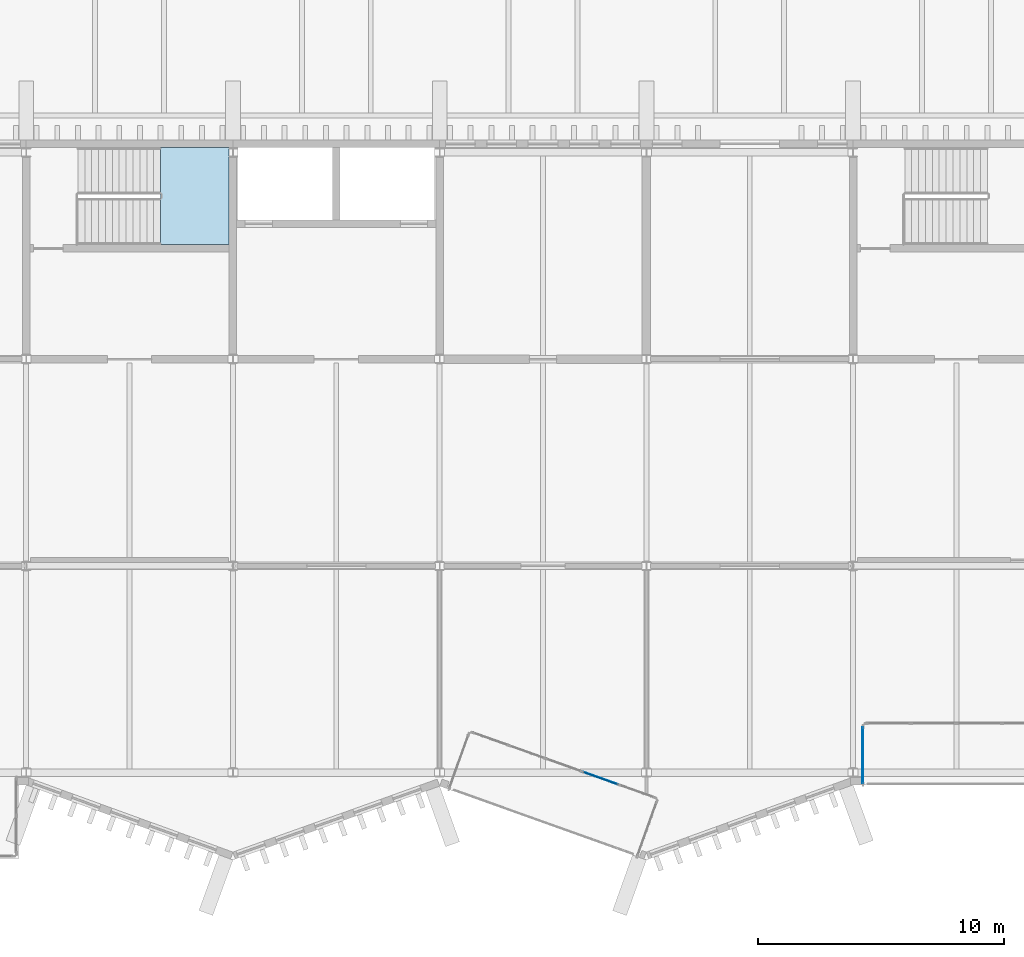
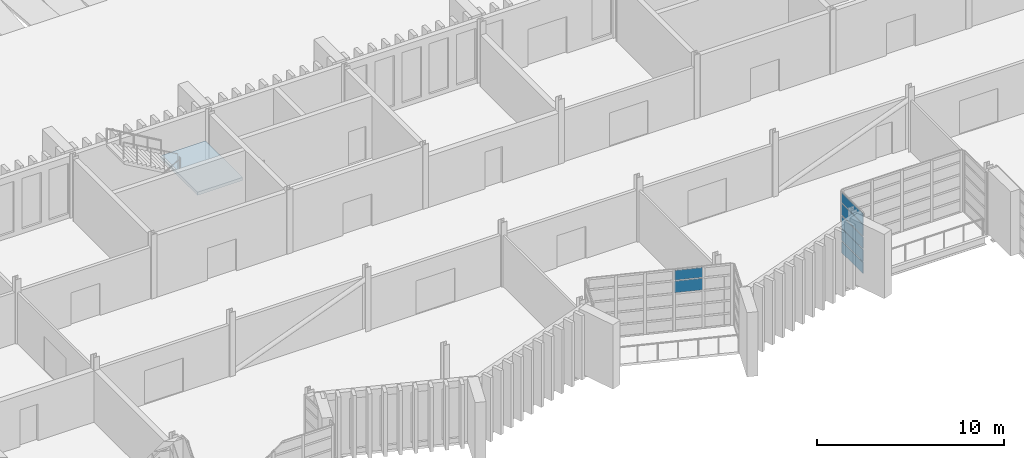
# One storey, part 50 of 96: 7 plates, 1 slab, 3 elements without a shape of their own.
"""IFC4 building model written with IfcOpenShell, lengths in metres."""

from ifc_helpers import new_model, si_unit, direction, frame, origin, origin_2d, place, context, subcontext, project, spatial, polyline, rectangle, outline, extrude, material, layer, layer_set, type_object, element, aggregate, save


model = new_model("IFC4")

# Units and contexts
model_context = context("Model", 3, precision=1e-05, world=origin(), true_north=direction((0.0, 1.0)))
body_context = subcontext(model_context, "Body", "Model", "MODEL_VIEW")
ifc_project = project(units=[si_unit("LENGTHUNIT", "METRE"), si_unit("AREAUNIT", "SQUARE_METRE"), si_unit("VOLUMEUNIT", "CUBIC_METRE"), si_unit("PLANEANGLEUNIT", "RADIAN"), si_unit("MASSUNIT", "GRAM", prefix="KILO")], contexts=[model_context])

# Site, building, storey
site_placement = place(None, origin())
site = spatial("IfcSite", under=ifc_project, at=site_placement, CompositionType="ELEMENT")
building_placement = place(site_placement, origin())
building = spatial("IfcBuilding", under=site, at=building_placement, Name="Cresset Court Congress Hotel", CompositionType="ELEMENT")
storey_placement = place(building_placement, frame((0.0, 0.0, 6.0)))
storey = spatial("IfcBuildingStorey", under=building, at=storey_placement, Name="L01", CompositionType="ELEMENT", Elevation=6.0)

# Curtain wall, plates
ifc_material_1 = material(Name="Aluminium frame with double glazing", Category="aluminium")
ifc_layer_1 = layer(ifc_material_1, 0.199951171875)
ifc_layer_set_1 = layer_set([ifc_layer_1], Name="Glazed box curtain wall 1680 module")
curtain_wall_type = type_object("IfcCurtainWallType", Name="Glazed box curtain wall 1680 module", PredefinedType="NOTDEFINED", material=ifc_layer_set_1)
curtain_wall_1_placement = place(storey_placement, origin())
curtain_wall_1 = element("IfcCurtainWall", 1, at=curtain_wall_1_placement, inside=storey, type_object=curtain_wall_type, Name="Glazed box S0118 side", PredefinedType="NOTDEFINED")
ifc_material_2 = material(Name="Toughened double glazing", Category="glass")
ifc_layer_2 = layer(ifc_material_2, 0.028076171875)
ifc_layer_set_2 = layer_set([ifc_layer_2], Name="Box glass panel 28")
plate_type_1 = type_object("IfcPlateType", Name="Box glass panel 28", PredefinedType="CURTAIN_PANEL", material=ifc_layer_set_2)
plate_1_placement = place(storey_placement, frame((134.800048828125, 0.699951171875, 0.06005859375), z_axis=(0.0, 0.0, 1.0), x_axis=(0.0, 1.0, 0.0)))
plate_1 = element("IfcPlate", 2, at=plate_1_placement, type_object=plate_type_1, Name="B-X1 panel 1.1", PredefinedType="CURTAIN_PANEL", context=body_context, shape_type="SweptSolid", body=[
    extrude(rectangle(XDim=2.280029296875, YDim=0.028076171875, at=origin_2d()), origin(), (0.0, 0.0, 1.0), 0.739990234375),
])
plate_2_placement = place(storey_placement, frame((134.800048828125, 0.699951171875, 0.860107421875), z_axis=(0.0, 0.0, 1.0), x_axis=(0.0, 1.0, 0.0)))
plate_2 = element("IfcPlate", 3, at=plate_2_placement, type_object=plate_type_1, Name="B-X1 panel 1.2", PredefinedType="CURTAIN_PANEL", context=body_context, shape_type="SweptSolid", body=[
    extrude(rectangle(XDim=2.280029296875, YDim=0.028076171875, at=origin_2d()), origin(), (0.0, 0.0, 1.0), 0.77001953125),
])
plate_3_placement = place(storey_placement, frame((134.800048828125, 0.699951171875, 1.68994140625), z_axis=(0.0, 0.0, 1.0), x_axis=(0.0, 1.0, 0.0)))
plate_3 = element("IfcPlate", 4, at=plate_3_placement, type_object=plate_type_1, Name="B-X1 panel 1.3", PredefinedType="CURTAIN_PANEL", context=body_context, shape_type="SweptSolid", body=[
    extrude(rectangle(XDim=2.280029296875, YDim=0.028076171875, at=origin_2d()), origin(), (0.0, 0.0, 1.0), 0.77001953125),
])
plate_4_placement = place(storey_placement, frame((134.800048828125, 0.699951171875, 2.52001953125), z_axis=(0.0, 0.0, 1.0), x_axis=(0.0, 1.0, 0.0)))
plate_4 = element("IfcPlate", 5, at=plate_4_placement, type_object=plate_type_1, Name="B-X1 panel 1.4", PredefinedType="CURTAIN_PANEL", context=body_context, shape_type="SweptSolid", body=[
    extrude(rectangle(XDim=2.280029296875, YDim=0.028076171875, at=origin_2d()), origin(), (0.0, 0.0, 1.0), 0.77001953125),
])

# Curtain wall, plate
curtain_wall_2_placement = place(storey_placement, origin())
curtain_wall_2 = element("IfcCurtainWall", 6, at=curtain_wall_2_placement, inside=storey, type_object=curtain_wall_type, Name="Glazed box S0115 front", PredefinedType="NOTDEFINED")
plate_5_placement = place(storey_placement, frame((124.132568359375, -0.228271484375, 2.52001953125), z_axis=(0.0, 0.0, 1.0), x_axis=(0.941741911601, -0.336336396981, 0.0)))
plate_5 = element("IfcPlate", 7, at=plate_5_placement, type_object=plate_type_1, Name="B-X1 panel 4.4", PredefinedType="CURTAIN_PANEL", context=body_context, shape_type="SweptSolid", body=[
    extrude(rectangle(XDim=1.52392578125, YDim=0.028076171875, at=origin_2d()), origin(), (0.0, 0.0, 1.0), 0.77001953125),
])

# Plate
ifc_material_3 = material(Name="Insulated aluminium spandrel panel", Category="aluminium")
ifc_layer_3 = layer(ifc_material_3, 0.0400390625)
ifc_layer_set_3 = layer_set([ifc_layer_3], Name="Box spandrel panel 40")
plate_type_2 = type_object("IfcPlateType", Name="Box spandrel panel 40", PredefinedType="CURTAIN_PANEL", material=ifc_layer_set_3)
plate_6_placement = place(storey_placement, frame((134.800048828125, 0.699951171875, 3.35009765625), z_axis=(0.0, 0.0, 1.0), x_axis=(0.0, 1.0, 0.0)))
plate_6 = element("IfcPlate", 8, at=plate_6_placement, type_object=plate_type_2, Name="B-X1 spandrel panel 1.5", PredefinedType="CURTAIN_PANEL", context=body_context, shape_type="SweptSolid", body=[
    extrude(rectangle(XDim=2.280029296875, YDim=0.0400390625, at=origin_2d()), origin(), (0.0, 0.0, 1.0), 0.639892578125),
])

aggregate(curtain_wall_1, [plate_1, plate_2, plate_3, plate_4, plate_6])

plate_7_placement = place(storey_placement, frame((124.132568359375, -0.228271484375, 3.35009765625), z_axis=(0.0, 0.0, 1.0), x_axis=(0.941741911601, -0.336336396981, 0.0)))
plate_7 = element("IfcPlate", 9, at=plate_7_placement, type_object=plate_type_2, Name="B-X1 spandrel panel 4.5", PredefinedType="CURTAIN_PANEL", context=body_context, shape_type="SweptSolid", body=[
    extrude(rectangle(XDim=1.52392578125, YDim=0.0400390625, at=origin_2d()), origin(), (0.0, 0.0, 1.0), 0.639892578125),
])

aggregate(curtain_wall_2, [plate_5, plate_7])

# Stair, slab
ifc_material_4 = material(Name="Concrete C40", Category="concrete")
stair_type = type_object("IfcStairType", Name="Dog-leg stair 1400 flights", PredefinedType="HALF_TURN_STAIR", material=ifc_material_4)
stair_placement = place(storey_placement, origin())
stair = element("IfcStair", 10, at=stair_placement, inside=storey, type_object=stair_type, Name="L01 Stair ST-B4", PredefinedType="HALF_TURN_STAIR")
ifc_material_5 = material(Name="Concrete C40", Category="concrete")
ifc_layer_4 = layer(ifc_material_5, 0.199951171875)
ifc_layer_set_4 = layer_set([ifc_layer_4], Name="Stair landing 200")
slab_type = type_object("IfcSlabType", Name="Stair landing 200", PredefinedType="LANDING", material=ifc_layer_set_4)
slab_placement = place(storey_placement, frame((0.0, 0.0, 1.89990234375)))
slab = element("IfcSlab", 11, at=slab_placement, type_object=slab_type, Name="ST-B4 landing 1", PredefinedType="LANDING", context=body_context, shape_type="SweptSolid", body=[
    extrude(outline(polyline([(106.260009765625, 21.449951171875), (109.050048828125, 21.449951171875), (109.050048828125, 25.39990234375), (106.260009765625, 25.39990234375), (106.260009765625, 21.449951171875)])), origin(), (0.0, 0.0, 1.0), 0.2001953125),
])
aggregate(stair, [slab])

save(model, "model.ifc")
